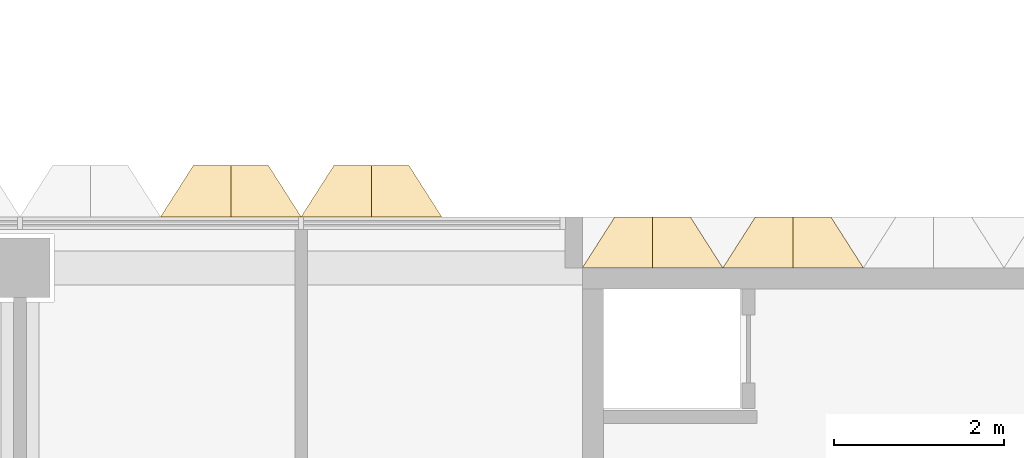
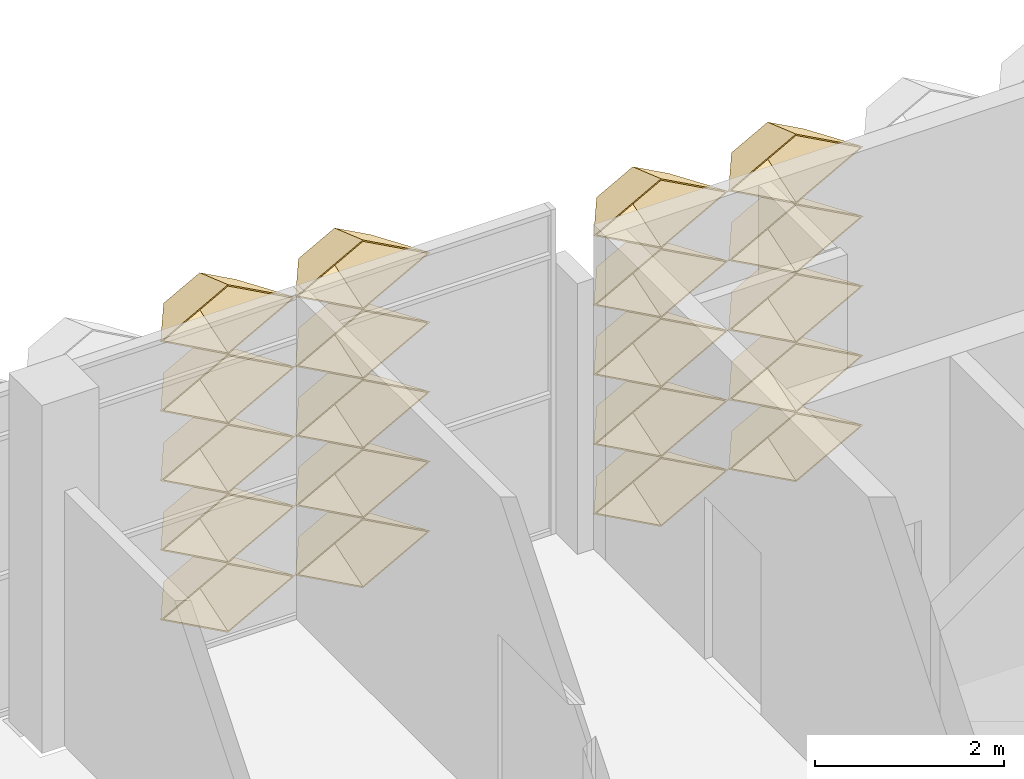
# One storey, part 73 of 109: 20 coverings.
"""IFC4 building model written with IfcOpenShell, lengths in metres."""

from ifc_helpers import new_model, entity, si_unit, direction, frame, origin, place, context, subcontext, project, spatial, material, layer, layer_set, type_object, element, save


model = new_model("IFC4")

# Units and contexts
model_context = context("Model", 3, precision=1e-05, world=origin(), true_north=direction((0.0, 1.0)))
body_context = subcontext(model_context, "Body", "Model", "MODEL_VIEW")
ifc_project = project(units=[si_unit("LENGTHUNIT", "METRE"), si_unit("AREAUNIT", "SQUARE_METRE"), si_unit("VOLUMEUNIT", "CUBIC_METRE"), si_unit("PLANEANGLEUNIT", "RADIAN"), si_unit("MASSUNIT", "GRAM", prefix="KILO")], contexts=[model_context])

# Site, building, storey
site_placement = place(None, origin())
site = spatial("IfcSite", under=ifc_project, at=site_placement, CompositionType="ELEMENT")
building_placement = place(site_placement, origin())
building = spatial("IfcBuilding", under=site, at=building_placement, Name="Lantern Court Research Institute", CompositionType="ELEMENT")
storey_placement = place(building_placement, frame((0.0, 0.0, 14.39990234375)))
storey = spatial("IfcBuildingStorey", under=building, at=storey_placement, Name="L03", CompositionType="ELEMENT", Elevation=14.39990234375)

# Coverings
ifc_material = material(Name="Anodised aluminium", Category="aluminium")
ifc_layer = layer(ifc_material, 0.01611328125)
ifc_layer_set = layer_set([ifc_layer], Name="Anodised aluminium")
covering_type = type_object("IfcCoveringType", Name="Fin cassette 1650 x 900 x 600 aluminium", PredefinedType="CLADDING", material=ifc_layer_set)
covering_1_placement = place(storey_placement, frame((20.625, 23.10009765625, 0.4501953125), z_axis=(0.0, 1.0, 0.0), x_axis=(-1.0, 0.0, 0.0)))
cartesian_point_1 = entity("IfcCartesianPoint", [0.824951171875, 0.0])
cartesian_point_2 = entity("IfcCartesianPoint", [0.79150390625, 0.0])
cartesian_point_3 = entity("IfcCartesianPoint", [0.44189453125, 0.0])
cartesian_point_4 = entity("IfcCartesianPoint", [0.43359375, 0.0])
element("IfcCovering", 1, at=covering_1_placement, inside=storey, type_object=covering_type, Name="Fin cassette V4N-L03 1.13", PredefinedType="CLADDING", context=body_context, shape_type="SweptSolid", body=[
    entity("IfcExtrudedAreaSolidTapered", entity("IfcArbitraryProfileDefWithVoids", "AREA", None, entity("IfcPolyline", [cartesian_point_1, entity("IfcCartesianPoint", [0.0, 0.449951171875]), entity("IfcCartesianPoint", [-0.824951171875, 0.0]), entity("IfcCartesianPoint", [0.0, -0.449951171875]), cartesian_point_1]), [entity("IfcPolyline", [cartesian_point_2, entity("IfcCartesianPoint", [0.0, 0.431884765625]), entity("IfcCartesianPoint", [-0.79150390625, 0.0]), entity("IfcCartesianPoint", [0.0, -0.431884765625]), cartesian_point_2])]), entity("IfcAxis2Placement3D", entity("IfcCartesianPoint", [0.0, 0.0, 0.0])), entity("IfcDirection", [0.0, 0.0, 1.0]), 0.60009765625, entity("IfcArbitraryProfileDefWithVoids", "AREA", None, entity("IfcPolyline", [cartesian_point_3, entity("IfcCartesianPoint", [0.0, 0.240966796875]), entity("IfcCartesianPoint", [-0.44189453125, 0.0]), entity("IfcCartesianPoint", [0.0, -0.240966796875]), cartesian_point_3]), [entity("IfcPolyline", [cartesian_point_4, entity("IfcCartesianPoint", [0.0, 0.236572265625]), entity("IfcCartesianPoint", [-0.43359375, 0.0]), entity("IfcCartesianPoint", [0.0, -0.236572265625]), cartesian_point_4])])),
])
covering_2_placement = place(storey_placement, frame((22.27490234375, 23.10009765625, 0.4501953125), z_axis=(0.0, 1.0, 0.0), x_axis=(-1.0, 0.0, 0.0)))
cartesian_point_5 = entity("IfcCartesianPoint", [0.824951171875, 0.0])
cartesian_point_6 = entity("IfcCartesianPoint", [0.79150390625, 0.0])
cartesian_point_7 = entity("IfcCartesianPoint", [0.44189453125, 0.0])
cartesian_point_8 = entity("IfcCartesianPoint", [0.43359375, 0.0])
element("IfcCovering", 2, at=covering_2_placement, inside=storey, type_object=covering_type, Name="Fin cassette V4N-L03 1.14", PredefinedType="CLADDING", context=body_context, shape_type="SweptSolid", body=[
    entity("IfcExtrudedAreaSolidTapered", entity("IfcArbitraryProfileDefWithVoids", "AREA", None, entity("IfcPolyline", [cartesian_point_5, entity("IfcCartesianPoint", [0.0, 0.449951171875]), entity("IfcCartesianPoint", [-0.824951171875, 0.0]), entity("IfcCartesianPoint", [0.0, -0.449951171875]), cartesian_point_5]), [entity("IfcPolyline", [cartesian_point_6, entity("IfcCartesianPoint", [0.0, 0.431884765625]), entity("IfcCartesianPoint", [-0.79150390625, 0.0]), entity("IfcCartesianPoint", [0.0, -0.431884765625]), cartesian_point_6])]), entity("IfcAxis2Placement3D", entity("IfcCartesianPoint", [0.0, 0.0, 0.0])), entity("IfcDirection", [0.0, 0.0, 1.0]), 0.60009765625, entity("IfcArbitraryProfileDefWithVoids", "AREA", None, entity("IfcPolyline", [cartesian_point_7, entity("IfcCartesianPoint", [0.0, 0.240966796875]), entity("IfcCartesianPoint", [-0.44189453125, 0.0]), entity("IfcCartesianPoint", [0.0, -0.240966796875]), cartesian_point_7]), [entity("IfcPolyline", [cartesian_point_8, entity("IfcCartesianPoint", [0.0, 0.236572265625]), entity("IfcCartesianPoint", [-0.43359375, 0.0]), entity("IfcCartesianPoint", [0.0, -0.236572265625]), cartesian_point_8])])),
])
covering_3_placement = place(storey_placement, frame((20.625, 23.10009765625, 1.35009765625), z_axis=(0.0, 1.0, 0.0), x_axis=(-1.0, 0.0, 0.0)))
cartesian_point_9 = entity("IfcCartesianPoint", [0.824951171875, 0.0])
cartesian_point_10 = entity("IfcCartesianPoint", [0.79150390625, 0.0])
cartesian_point_11 = entity("IfcCartesianPoint", [0.44189453125, 0.0])
cartesian_point_12 = entity("IfcCartesianPoint", [0.43359375, 0.0])
element("IfcCovering", 3, at=covering_3_placement, inside=storey, type_object=covering_type, Name="Fin cassette V4N-L03 2.13", PredefinedType="CLADDING", context=body_context, shape_type="SweptSolid", body=[
    entity("IfcExtrudedAreaSolidTapered", entity("IfcArbitraryProfileDefWithVoids", "AREA", None, entity("IfcPolyline", [cartesian_point_9, entity("IfcCartesianPoint", [0.0, 0.449951171875]), entity("IfcCartesianPoint", [-0.824951171875, 0.0]), entity("IfcCartesianPoint", [0.0, -0.449951171875]), cartesian_point_9]), [entity("IfcPolyline", [cartesian_point_10, entity("IfcCartesianPoint", [0.0, 0.431884765625]), entity("IfcCartesianPoint", [-0.79150390625, 0.0]), entity("IfcCartesianPoint", [0.0, -0.431884765625]), cartesian_point_10])]), entity("IfcAxis2Placement3D", entity("IfcCartesianPoint", [0.0, 0.0, 0.0])), entity("IfcDirection", [0.0, 0.0, 1.0]), 0.60009765625, entity("IfcArbitraryProfileDefWithVoids", "AREA", None, entity("IfcPolyline", [cartesian_point_11, entity("IfcCartesianPoint", [0.0, 0.240966796875]), entity("IfcCartesianPoint", [-0.44189453125, 0.0]), entity("IfcCartesianPoint", [0.0, -0.240966796875]), cartesian_point_11]), [entity("IfcPolyline", [cartesian_point_12, entity("IfcCartesianPoint", [0.0, 0.236572265625]), entity("IfcCartesianPoint", [-0.43359375, 0.0]), entity("IfcCartesianPoint", [0.0, -0.236572265625]), cartesian_point_12])])),
])
covering_4_placement = place(storey_placement, frame((22.27490234375, 23.10009765625, 1.35009765625), z_axis=(0.0, 1.0, 0.0), x_axis=(-1.0, 0.0, 0.0)))
cartesian_point_13 = entity("IfcCartesianPoint", [0.824951171875, 0.0])
cartesian_point_14 = entity("IfcCartesianPoint", [0.79150390625, 0.0])
cartesian_point_15 = entity("IfcCartesianPoint", [0.44189453125, 0.0])
cartesian_point_16 = entity("IfcCartesianPoint", [0.43359375, 0.0])
element("IfcCovering", 4, at=covering_4_placement, inside=storey, type_object=covering_type, Name="Fin cassette V4N-L03 2.14", PredefinedType="CLADDING", context=body_context, shape_type="SweptSolid", body=[
    entity("IfcExtrudedAreaSolidTapered", entity("IfcArbitraryProfileDefWithVoids", "AREA", None, entity("IfcPolyline", [cartesian_point_13, entity("IfcCartesianPoint", [0.0, 0.449951171875]), entity("IfcCartesianPoint", [-0.824951171875, 0.0]), entity("IfcCartesianPoint", [0.0, -0.449951171875]), cartesian_point_13]), [entity("IfcPolyline", [cartesian_point_14, entity("IfcCartesianPoint", [0.0, 0.431884765625]), entity("IfcCartesianPoint", [-0.79150390625, 0.0]), entity("IfcCartesianPoint", [0.0, -0.431884765625]), cartesian_point_14])]), entity("IfcAxis2Placement3D", entity("IfcCartesianPoint", [0.0, 0.0, 0.0])), entity("IfcDirection", [0.0, 0.0, 1.0]), 0.60009765625, entity("IfcArbitraryProfileDefWithVoids", "AREA", None, entity("IfcPolyline", [cartesian_point_15, entity("IfcCartesianPoint", [0.0, 0.240966796875]), entity("IfcCartesianPoint", [-0.44189453125, 0.0]), entity("IfcCartesianPoint", [0.0, -0.240966796875]), cartesian_point_15]), [entity("IfcPolyline", [cartesian_point_16, entity("IfcCartesianPoint", [0.0, 0.236572265625]), entity("IfcCartesianPoint", [-0.43359375, 0.0]), entity("IfcCartesianPoint", [0.0, -0.236572265625]), cartesian_point_16])])),
])
covering_5_placement = place(storey_placement, frame((20.625, 23.10009765625, 2.25), z_axis=(0.0, 1.0, 0.0), x_axis=(-1.0, 0.0, 0.0)))
cartesian_point_17 = entity("IfcCartesianPoint", [0.824951171875, 0.0])
cartesian_point_18 = entity("IfcCartesianPoint", [0.79150390625, 0.0])
cartesian_point_19 = entity("IfcCartesianPoint", [0.44189453125, 0.0])
cartesian_point_20 = entity("IfcCartesianPoint", [0.43359375, 0.0])
element("IfcCovering", 5, at=covering_5_placement, inside=storey, type_object=covering_type, Name="Fin cassette V4N-L03 3.13", PredefinedType="CLADDING", context=body_context, shape_type="SweptSolid", body=[
    entity("IfcExtrudedAreaSolidTapered", entity("IfcArbitraryProfileDefWithVoids", "AREA", None, entity("IfcPolyline", [cartesian_point_17, entity("IfcCartesianPoint", [0.0, 0.449951171875]), entity("IfcCartesianPoint", [-0.824951171875, 0.0]), entity("IfcCartesianPoint", [0.0, -0.449951171875]), cartesian_point_17]), [entity("IfcPolyline", [cartesian_point_18, entity("IfcCartesianPoint", [0.0, 0.431884765625]), entity("IfcCartesianPoint", [-0.79150390625, 0.0]), entity("IfcCartesianPoint", [0.0, -0.431884765625]), cartesian_point_18])]), entity("IfcAxis2Placement3D", entity("IfcCartesianPoint", [0.0, 0.0, 0.0])), entity("IfcDirection", [0.0, 0.0, 1.0]), 0.60009765625, entity("IfcArbitraryProfileDefWithVoids", "AREA", None, entity("IfcPolyline", [cartesian_point_19, entity("IfcCartesianPoint", [0.0, 0.240966796875]), entity("IfcCartesianPoint", [-0.44189453125, 0.0]), entity("IfcCartesianPoint", [0.0, -0.240966796875]), cartesian_point_19]), [entity("IfcPolyline", [cartesian_point_20, entity("IfcCartesianPoint", [0.0, 0.236572265625]), entity("IfcCartesianPoint", [-0.43359375, 0.0]), entity("IfcCartesianPoint", [0.0, -0.236572265625]), cartesian_point_20])])),
])
covering_6_placement = place(storey_placement, frame((22.27490234375, 23.10009765625, 2.25), z_axis=(0.0, 1.0, 0.0), x_axis=(-1.0, 0.0, 0.0)))
cartesian_point_21 = entity("IfcCartesianPoint", [0.824951171875, 0.0])
cartesian_point_22 = entity("IfcCartesianPoint", [0.79150390625, 0.0])
cartesian_point_23 = entity("IfcCartesianPoint", [0.44189453125, 0.0])
cartesian_point_24 = entity("IfcCartesianPoint", [0.43359375, 0.0])
element("IfcCovering", 6, at=covering_6_placement, inside=storey, type_object=covering_type, Name="Fin cassette V4N-L03 3.14", PredefinedType="CLADDING", context=body_context, shape_type="SweptSolid", body=[
    entity("IfcExtrudedAreaSolidTapered", entity("IfcArbitraryProfileDefWithVoids", "AREA", None, entity("IfcPolyline", [cartesian_point_21, entity("IfcCartesianPoint", [0.0, 0.449951171875]), entity("IfcCartesianPoint", [-0.824951171875, 0.0]), entity("IfcCartesianPoint", [0.0, -0.449951171875]), cartesian_point_21]), [entity("IfcPolyline", [cartesian_point_22, entity("IfcCartesianPoint", [0.0, 0.431884765625]), entity("IfcCartesianPoint", [-0.79150390625, 0.0]), entity("IfcCartesianPoint", [0.0, -0.431884765625]), cartesian_point_22])]), entity("IfcAxis2Placement3D", entity("IfcCartesianPoint", [0.0, 0.0, 0.0])), entity("IfcDirection", [0.0, 0.0, 1.0]), 0.60009765625, entity("IfcArbitraryProfileDefWithVoids", "AREA", None, entity("IfcPolyline", [cartesian_point_23, entity("IfcCartesianPoint", [0.0, 0.240966796875]), entity("IfcCartesianPoint", [-0.44189453125, 0.0]), entity("IfcCartesianPoint", [0.0, -0.240966796875]), cartesian_point_23]), [entity("IfcPolyline", [cartesian_point_24, entity("IfcCartesianPoint", [0.0, 0.236572265625]), entity("IfcCartesianPoint", [-0.43359375, 0.0]), entity("IfcCartesianPoint", [0.0, -0.236572265625]), cartesian_point_24])])),
])
covering_7_placement = place(storey_placement, frame((20.625, 23.10009765625, 3.150146484375), z_axis=(0.0, 1.0, 0.0), x_axis=(-1.0, 0.0, 0.0)))
cartesian_point_25 = entity("IfcCartesianPoint", [0.824951171875, 0.0])
cartesian_point_26 = entity("IfcCartesianPoint", [0.79150390625, 0.0])
cartesian_point_27 = entity("IfcCartesianPoint", [0.44189453125, 0.0])
cartesian_point_28 = entity("IfcCartesianPoint", [0.43359375, 0.0])
element("IfcCovering", 7, at=covering_7_placement, inside=storey, type_object=covering_type, Name="Fin cassette V4N-L03 4.13", PredefinedType="CLADDING", context=body_context, shape_type="SweptSolid", body=[
    entity("IfcExtrudedAreaSolidTapered", entity("IfcArbitraryProfileDefWithVoids", "AREA", None, entity("IfcPolyline", [cartesian_point_25, entity("IfcCartesianPoint", [0.0, 0.449951171875]), entity("IfcCartesianPoint", [-0.824951171875, 0.0]), entity("IfcCartesianPoint", [0.0, -0.449951171875]), cartesian_point_25]), [entity("IfcPolyline", [cartesian_point_26, entity("IfcCartesianPoint", [0.0, 0.431884765625]), entity("IfcCartesianPoint", [-0.79150390625, 0.0]), entity("IfcCartesianPoint", [0.0, -0.431884765625]), cartesian_point_26])]), entity("IfcAxis2Placement3D", entity("IfcCartesianPoint", [0.0, 0.0, 0.0])), entity("IfcDirection", [0.0, 0.0, 1.0]), 0.60009765625, entity("IfcArbitraryProfileDefWithVoids", "AREA", None, entity("IfcPolyline", [cartesian_point_27, entity("IfcCartesianPoint", [0.0, 0.240966796875]), entity("IfcCartesianPoint", [-0.44189453125, 0.0]), entity("IfcCartesianPoint", [0.0, -0.240966796875]), cartesian_point_27]), [entity("IfcPolyline", [cartesian_point_28, entity("IfcCartesianPoint", [0.0, 0.236572265625]), entity("IfcCartesianPoint", [-0.43359375, 0.0]), entity("IfcCartesianPoint", [0.0, -0.236572265625]), cartesian_point_28])])),
])
covering_8_placement = place(storey_placement, frame((22.27490234375, 23.10009765625, 3.150146484375), z_axis=(0.0, 1.0, 0.0), x_axis=(-1.0, 0.0, 0.0)))
cartesian_point_29 = entity("IfcCartesianPoint", [0.824951171875, 0.0])
cartesian_point_30 = entity("IfcCartesianPoint", [0.79150390625, 0.0])
cartesian_point_31 = entity("IfcCartesianPoint", [0.44189453125, 0.0])
cartesian_point_32 = entity("IfcCartesianPoint", [0.43359375, 0.0])
element("IfcCovering", 8, at=covering_8_placement, inside=storey, type_object=covering_type, Name="Fin cassette V4N-L03 4.14", PredefinedType="CLADDING", context=body_context, shape_type="SweptSolid", body=[
    entity("IfcExtrudedAreaSolidTapered", entity("IfcArbitraryProfileDefWithVoids", "AREA", None, entity("IfcPolyline", [cartesian_point_29, entity("IfcCartesianPoint", [0.0, 0.449951171875]), entity("IfcCartesianPoint", [-0.824951171875, 0.0]), entity("IfcCartesianPoint", [0.0, -0.449951171875]), cartesian_point_29]), [entity("IfcPolyline", [cartesian_point_30, entity("IfcCartesianPoint", [0.0, 0.431884765625]), entity("IfcCartesianPoint", [-0.79150390625, 0.0]), entity("IfcCartesianPoint", [0.0, -0.431884765625]), cartesian_point_30])]), entity("IfcAxis2Placement3D", entity("IfcCartesianPoint", [0.0, 0.0, 0.0])), entity("IfcDirection", [0.0, 0.0, 1.0]), 0.60009765625, entity("IfcArbitraryProfileDefWithVoids", "AREA", None, entity("IfcPolyline", [cartesian_point_31, entity("IfcCartesianPoint", [0.0, 0.240966796875]), entity("IfcCartesianPoint", [-0.44189453125, 0.0]), entity("IfcCartesianPoint", [0.0, -0.240966796875]), cartesian_point_31]), [entity("IfcPolyline", [cartesian_point_32, entity("IfcCartesianPoint", [0.0, 0.236572265625]), entity("IfcCartesianPoint", [-0.43359375, 0.0]), entity("IfcCartesianPoint", [0.0, -0.236572265625]), cartesian_point_32])])),
])
covering_9_placement = place(storey_placement, frame((20.625, 23.10009765625, 4.050048828125), z_axis=(0.0, 1.0, 0.0), x_axis=(-1.0, 0.0, 0.0)))
cartesian_point_33 = entity("IfcCartesianPoint", [0.824951171875, 0.0])
cartesian_point_34 = entity("IfcCartesianPoint", [0.79150390625, 0.0])
cartesian_point_35 = entity("IfcCartesianPoint", [0.44189453125, 0.0])
cartesian_point_36 = entity("IfcCartesianPoint", [0.43359375, 0.0])
element("IfcCovering", 9, at=covering_9_placement, inside=storey, type_object=covering_type, Name="Fin cassette V4N-L03 5.13", PredefinedType="CLADDING", context=body_context, shape_type="SweptSolid", body=[
    entity("IfcExtrudedAreaSolidTapered", entity("IfcArbitraryProfileDefWithVoids", "AREA", None, entity("IfcPolyline", [cartesian_point_33, entity("IfcCartesianPoint", [0.0, 0.449951171875]), entity("IfcCartesianPoint", [-0.824951171875, 0.0]), entity("IfcCartesianPoint", [0.0, -0.449951171875]), cartesian_point_33]), [entity("IfcPolyline", [cartesian_point_34, entity("IfcCartesianPoint", [0.0, 0.431884765625]), entity("IfcCartesianPoint", [-0.79150390625, 0.0]), entity("IfcCartesianPoint", [0.0, -0.431884765625]), cartesian_point_34])]), entity("IfcAxis2Placement3D", entity("IfcCartesianPoint", [0.0, 0.0, 0.0])), entity("IfcDirection", [0.0, 0.0, 1.0]), 0.60009765625, entity("IfcArbitraryProfileDefWithVoids", "AREA", None, entity("IfcPolyline", [cartesian_point_35, entity("IfcCartesianPoint", [0.0, 0.240966796875]), entity("IfcCartesianPoint", [-0.44189453125, 0.0]), entity("IfcCartesianPoint", [0.0, -0.240966796875]), cartesian_point_35]), [entity("IfcPolyline", [cartesian_point_36, entity("IfcCartesianPoint", [0.0, 0.236572265625]), entity("IfcCartesianPoint", [-0.43359375, 0.0]), entity("IfcCartesianPoint", [0.0, -0.236572265625]), cartesian_point_36])])),
])
covering_10_placement = place(storey_placement, frame((22.27490234375, 23.10009765625, 4.050048828125), z_axis=(0.0, 1.0, 0.0), x_axis=(-1.0, 0.0, 0.0)))
cartesian_point_37 = entity("IfcCartesianPoint", [0.824951171875, 0.0])
cartesian_point_38 = entity("IfcCartesianPoint", [0.79150390625, 0.0])
cartesian_point_39 = entity("IfcCartesianPoint", [0.44189453125, 0.0])
cartesian_point_40 = entity("IfcCartesianPoint", [0.43359375, 0.0])
element("IfcCovering", 10, at=covering_10_placement, inside=storey, type_object=covering_type, Name="Fin cassette V4N-L03 5.14", PredefinedType="CLADDING", context=body_context, shape_type="SweptSolid", body=[
    entity("IfcExtrudedAreaSolidTapered", entity("IfcArbitraryProfileDefWithVoids", "AREA", None, entity("IfcPolyline", [cartesian_point_37, entity("IfcCartesianPoint", [0.0, 0.449951171875]), entity("IfcCartesianPoint", [-0.824951171875, 0.0]), entity("IfcCartesianPoint", [0.0, -0.449951171875]), cartesian_point_37]), [entity("IfcPolyline", [cartesian_point_38, entity("IfcCartesianPoint", [0.0, 0.431884765625]), entity("IfcCartesianPoint", [-0.79150390625, 0.0]), entity("IfcCartesianPoint", [0.0, -0.431884765625]), cartesian_point_38])]), entity("IfcAxis2Placement3D", entity("IfcCartesianPoint", [0.0, 0.0, 0.0])), entity("IfcDirection", [0.0, 0.0, 1.0]), 0.60009765625, entity("IfcArbitraryProfileDefWithVoids", "AREA", None, entity("IfcPolyline", [cartesian_point_39, entity("IfcCartesianPoint", [0.0, 0.240966796875]), entity("IfcCartesianPoint", [-0.44189453125, 0.0]), entity("IfcCartesianPoint", [0.0, -0.240966796875]), cartesian_point_39]), [entity("IfcPolyline", [cartesian_point_40, entity("IfcCartesianPoint", [0.0, 0.236572265625]), entity("IfcCartesianPoint", [-0.43359375, 0.0]), entity("IfcCartesianPoint", [0.0, -0.236572265625]), cartesian_point_40])])),
])
covering_11_placement = place(storey_placement, frame((15.675048828125, 23.699951171875, 0.4501953125), z_axis=(0.0, 1.0, 0.0), x_axis=(-1.0, 0.0, 0.0)))
cartesian_point_41 = entity("IfcCartesianPoint", [0.824951171875, 0.0])
cartesian_point_42 = entity("IfcCartesianPoint", [0.79150390625, 0.0])
cartesian_point_43 = entity("IfcCartesianPoint", [0.44189453125, 0.0])
cartesian_point_44 = entity("IfcCartesianPoint", [0.43359375, 0.0])
element("IfcCovering", 11, at=covering_11_placement, inside=storey, type_object=covering_type, Name="Fin cassette V4N-L03 1.10", PredefinedType="CLADDING", context=body_context, shape_type="SweptSolid", body=[
    entity("IfcExtrudedAreaSolidTapered", entity("IfcArbitraryProfileDefWithVoids", "AREA", None, entity("IfcPolyline", [cartesian_point_41, entity("IfcCartesianPoint", [0.0, 0.449951171875]), entity("IfcCartesianPoint", [-0.824951171875, 0.0]), entity("IfcCartesianPoint", [0.0, -0.449951171875]), cartesian_point_41]), [entity("IfcPolyline", [cartesian_point_42, entity("IfcCartesianPoint", [0.0, 0.431884765625]), entity("IfcCartesianPoint", [-0.79150390625, 0.0]), entity("IfcCartesianPoint", [0.0, -0.431884765625]), cartesian_point_42])]), entity("IfcAxis2Placement3D", entity("IfcCartesianPoint", [0.0, 0.0, 0.0])), entity("IfcDirection", [0.0, 0.0, 1.0]), 0.60009765625, entity("IfcArbitraryProfileDefWithVoids", "AREA", None, entity("IfcPolyline", [cartesian_point_43, entity("IfcCartesianPoint", [0.0, 0.240966796875]), entity("IfcCartesianPoint", [-0.44189453125, 0.0]), entity("IfcCartesianPoint", [0.0, -0.240966796875]), cartesian_point_43]), [entity("IfcPolyline", [cartesian_point_44, entity("IfcCartesianPoint", [0.0, 0.236572265625]), entity("IfcCartesianPoint", [-0.43359375, 0.0]), entity("IfcCartesianPoint", [0.0, -0.236572265625]), cartesian_point_44])])),
])
covering_12_placement = place(storey_placement, frame((17.324951171875, 23.699951171875, 0.4501953125), z_axis=(0.0, 1.0, 0.0), x_axis=(-1.0, 0.0, 0.0)))
cartesian_point_45 = entity("IfcCartesianPoint", [0.824951171875, 0.0])
cartesian_point_46 = entity("IfcCartesianPoint", [0.79150390625, 0.0])
cartesian_point_47 = entity("IfcCartesianPoint", [0.44189453125, 0.0])
cartesian_point_48 = entity("IfcCartesianPoint", [0.43359375, 0.0])
element("IfcCovering", 12, at=covering_12_placement, inside=storey, type_object=covering_type, Name="Fin cassette V4N-L03 1.11", PredefinedType="CLADDING", context=body_context, shape_type="SweptSolid", body=[
    entity("IfcExtrudedAreaSolidTapered", entity("IfcArbitraryProfileDefWithVoids", "AREA", None, entity("IfcPolyline", [cartesian_point_45, entity("IfcCartesianPoint", [0.0, 0.449951171875]), entity("IfcCartesianPoint", [-0.824951171875, 0.0]), entity("IfcCartesianPoint", [0.0, -0.449951171875]), cartesian_point_45]), [entity("IfcPolyline", [cartesian_point_46, entity("IfcCartesianPoint", [0.0, 0.431884765625]), entity("IfcCartesianPoint", [-0.79150390625, 0.0]), entity("IfcCartesianPoint", [0.0, -0.431884765625]), cartesian_point_46])]), entity("IfcAxis2Placement3D", entity("IfcCartesianPoint", [0.0, 0.0, 0.0])), entity("IfcDirection", [0.0, 0.0, 1.0]), 0.60009765625, entity("IfcArbitraryProfileDefWithVoids", "AREA", None, entity("IfcPolyline", [cartesian_point_47, entity("IfcCartesianPoint", [0.0, 0.240966796875]), entity("IfcCartesianPoint", [-0.44189453125, 0.0]), entity("IfcCartesianPoint", [0.0, -0.240966796875]), cartesian_point_47]), [entity("IfcPolyline", [cartesian_point_48, entity("IfcCartesianPoint", [0.0, 0.236572265625]), entity("IfcCartesianPoint", [-0.43359375, 0.0]), entity("IfcCartesianPoint", [0.0, -0.236572265625]), cartesian_point_48])])),
])
covering_13_placement = place(storey_placement, frame((15.675048828125, 23.699951171875, 1.35009765625), z_axis=(0.0, 1.0, 0.0), x_axis=(-1.0, 0.0, 0.0)))
cartesian_point_49 = entity("IfcCartesianPoint", [0.824951171875, 0.0])
cartesian_point_50 = entity("IfcCartesianPoint", [0.79150390625, 0.0])
cartesian_point_51 = entity("IfcCartesianPoint", [0.44189453125, 0.0])
cartesian_point_52 = entity("IfcCartesianPoint", [0.43359375, 0.0])
element("IfcCovering", 13, at=covering_13_placement, inside=storey, type_object=covering_type, Name="Fin cassette V4N-L03 2.10", PredefinedType="CLADDING", context=body_context, shape_type="SweptSolid", body=[
    entity("IfcExtrudedAreaSolidTapered", entity("IfcArbitraryProfileDefWithVoids", "AREA", None, entity("IfcPolyline", [cartesian_point_49, entity("IfcCartesianPoint", [0.0, 0.449951171875]), entity("IfcCartesianPoint", [-0.824951171875, 0.0]), entity("IfcCartesianPoint", [0.0, -0.449951171875]), cartesian_point_49]), [entity("IfcPolyline", [cartesian_point_50, entity("IfcCartesianPoint", [0.0, 0.431884765625]), entity("IfcCartesianPoint", [-0.79150390625, 0.0]), entity("IfcCartesianPoint", [0.0, -0.431884765625]), cartesian_point_50])]), entity("IfcAxis2Placement3D", entity("IfcCartesianPoint", [0.0, 0.0, 0.0])), entity("IfcDirection", [0.0, 0.0, 1.0]), 0.60009765625, entity("IfcArbitraryProfileDefWithVoids", "AREA", None, entity("IfcPolyline", [cartesian_point_51, entity("IfcCartesianPoint", [0.0, 0.240966796875]), entity("IfcCartesianPoint", [-0.44189453125, 0.0]), entity("IfcCartesianPoint", [0.0, -0.240966796875]), cartesian_point_51]), [entity("IfcPolyline", [cartesian_point_52, entity("IfcCartesianPoint", [0.0, 0.236572265625]), entity("IfcCartesianPoint", [-0.43359375, 0.0]), entity("IfcCartesianPoint", [0.0, -0.236572265625]), cartesian_point_52])])),
])
covering_14_placement = place(storey_placement, frame((17.324951171875, 23.699951171875, 1.35009765625), z_axis=(0.0, 1.0, 0.0), x_axis=(-1.0, 0.0, 0.0)))
cartesian_point_53 = entity("IfcCartesianPoint", [0.824951171875, 0.0])
cartesian_point_54 = entity("IfcCartesianPoint", [0.79150390625, 0.0])
cartesian_point_55 = entity("IfcCartesianPoint", [0.44189453125, 0.0])
cartesian_point_56 = entity("IfcCartesianPoint", [0.43359375, 0.0])
element("IfcCovering", 14, at=covering_14_placement, inside=storey, type_object=covering_type, Name="Fin cassette V4N-L03 2.11", PredefinedType="CLADDING", context=body_context, shape_type="SweptSolid", body=[
    entity("IfcExtrudedAreaSolidTapered", entity("IfcArbitraryProfileDefWithVoids", "AREA", None, entity("IfcPolyline", [cartesian_point_53, entity("IfcCartesianPoint", [0.0, 0.449951171875]), entity("IfcCartesianPoint", [-0.824951171875, 0.0]), entity("IfcCartesianPoint", [0.0, -0.449951171875]), cartesian_point_53]), [entity("IfcPolyline", [cartesian_point_54, entity("IfcCartesianPoint", [0.0, 0.431884765625]), entity("IfcCartesianPoint", [-0.79150390625, 0.0]), entity("IfcCartesianPoint", [0.0, -0.431884765625]), cartesian_point_54])]), entity("IfcAxis2Placement3D", entity("IfcCartesianPoint", [0.0, 0.0, 0.0])), entity("IfcDirection", [0.0, 0.0, 1.0]), 0.60009765625, entity("IfcArbitraryProfileDefWithVoids", "AREA", None, entity("IfcPolyline", [cartesian_point_55, entity("IfcCartesianPoint", [0.0, 0.240966796875]), entity("IfcCartesianPoint", [-0.44189453125, 0.0]), entity("IfcCartesianPoint", [0.0, -0.240966796875]), cartesian_point_55]), [entity("IfcPolyline", [cartesian_point_56, entity("IfcCartesianPoint", [0.0, 0.236572265625]), entity("IfcCartesianPoint", [-0.43359375, 0.0]), entity("IfcCartesianPoint", [0.0, -0.236572265625]), cartesian_point_56])])),
])
covering_15_placement = place(storey_placement, frame((15.675048828125, 23.699951171875, 2.25), z_axis=(0.0, 1.0, 0.0), x_axis=(-1.0, 0.0, 0.0)))
cartesian_point_57 = entity("IfcCartesianPoint", [0.824951171875, 0.0])
cartesian_point_58 = entity("IfcCartesianPoint", [0.79150390625, 0.0])
cartesian_point_59 = entity("IfcCartesianPoint", [0.44189453125, 0.0])
cartesian_point_60 = entity("IfcCartesianPoint", [0.43359375, 0.0])
element("IfcCovering", 15, at=covering_15_placement, inside=storey, type_object=covering_type, Name="Fin cassette V4N-L03 3.10", PredefinedType="CLADDING", context=body_context, shape_type="SweptSolid", body=[
    entity("IfcExtrudedAreaSolidTapered", entity("IfcArbitraryProfileDefWithVoids", "AREA", None, entity("IfcPolyline", [cartesian_point_57, entity("IfcCartesianPoint", [0.0, 0.449951171875]), entity("IfcCartesianPoint", [-0.824951171875, 0.0]), entity("IfcCartesianPoint", [0.0, -0.449951171875]), cartesian_point_57]), [entity("IfcPolyline", [cartesian_point_58, entity("IfcCartesianPoint", [0.0, 0.431884765625]), entity("IfcCartesianPoint", [-0.79150390625, 0.0]), entity("IfcCartesianPoint", [0.0, -0.431884765625]), cartesian_point_58])]), entity("IfcAxis2Placement3D", entity("IfcCartesianPoint", [0.0, 0.0, 0.0])), entity("IfcDirection", [0.0, 0.0, 1.0]), 0.60009765625, entity("IfcArbitraryProfileDefWithVoids", "AREA", None, entity("IfcPolyline", [cartesian_point_59, entity("IfcCartesianPoint", [0.0, 0.240966796875]), entity("IfcCartesianPoint", [-0.44189453125, 0.0]), entity("IfcCartesianPoint", [0.0, -0.240966796875]), cartesian_point_59]), [entity("IfcPolyline", [cartesian_point_60, entity("IfcCartesianPoint", [0.0, 0.236572265625]), entity("IfcCartesianPoint", [-0.43359375, 0.0]), entity("IfcCartesianPoint", [0.0, -0.236572265625]), cartesian_point_60])])),
])
covering_16_placement = place(storey_placement, frame((17.324951171875, 23.699951171875, 2.25), z_axis=(0.0, 1.0, 0.0), x_axis=(-1.0, 0.0, 0.0)))
cartesian_point_61 = entity("IfcCartesianPoint", [0.824951171875, 0.0])
cartesian_point_62 = entity("IfcCartesianPoint", [0.79150390625, 0.0])
cartesian_point_63 = entity("IfcCartesianPoint", [0.44189453125, 0.0])
cartesian_point_64 = entity("IfcCartesianPoint", [0.43359375, 0.0])
element("IfcCovering", 16, at=covering_16_placement, inside=storey, type_object=covering_type, Name="Fin cassette V4N-L03 3.11", PredefinedType="CLADDING", context=body_context, shape_type="SweptSolid", body=[
    entity("IfcExtrudedAreaSolidTapered", entity("IfcArbitraryProfileDefWithVoids", "AREA", None, entity("IfcPolyline", [cartesian_point_61, entity("IfcCartesianPoint", [0.0, 0.449951171875]), entity("IfcCartesianPoint", [-0.824951171875, 0.0]), entity("IfcCartesianPoint", [0.0, -0.449951171875]), cartesian_point_61]), [entity("IfcPolyline", [cartesian_point_62, entity("IfcCartesianPoint", [0.0, 0.431884765625]), entity("IfcCartesianPoint", [-0.79150390625, 0.0]), entity("IfcCartesianPoint", [0.0, -0.431884765625]), cartesian_point_62])]), entity("IfcAxis2Placement3D", entity("IfcCartesianPoint", [0.0, 0.0, 0.0])), entity("IfcDirection", [0.0, 0.0, 1.0]), 0.60009765625, entity("IfcArbitraryProfileDefWithVoids", "AREA", None, entity("IfcPolyline", [cartesian_point_63, entity("IfcCartesianPoint", [0.0, 0.240966796875]), entity("IfcCartesianPoint", [-0.44189453125, 0.0]), entity("IfcCartesianPoint", [0.0, -0.240966796875]), cartesian_point_63]), [entity("IfcPolyline", [cartesian_point_64, entity("IfcCartesianPoint", [0.0, 0.236572265625]), entity("IfcCartesianPoint", [-0.43359375, 0.0]), entity("IfcCartesianPoint", [0.0, -0.236572265625]), cartesian_point_64])])),
])
covering_17_placement = place(storey_placement, frame((15.675048828125, 23.699951171875, 3.150146484375), z_axis=(0.0, 1.0, 0.0), x_axis=(-1.0, 0.0, 0.0)))
cartesian_point_65 = entity("IfcCartesianPoint", [0.824951171875, 0.0])
cartesian_point_66 = entity("IfcCartesianPoint", [0.79150390625, 0.0])
cartesian_point_67 = entity("IfcCartesianPoint", [0.44189453125, 0.0])
cartesian_point_68 = entity("IfcCartesianPoint", [0.43359375, 0.0])
element("IfcCovering", 17, at=covering_17_placement, inside=storey, type_object=covering_type, Name="Fin cassette V4N-L03 4.10", PredefinedType="CLADDING", context=body_context, shape_type="SweptSolid", body=[
    entity("IfcExtrudedAreaSolidTapered", entity("IfcArbitraryProfileDefWithVoids", "AREA", None, entity("IfcPolyline", [cartesian_point_65, entity("IfcCartesianPoint", [0.0, 0.449951171875]), entity("IfcCartesianPoint", [-0.824951171875, 0.0]), entity("IfcCartesianPoint", [0.0, -0.449951171875]), cartesian_point_65]), [entity("IfcPolyline", [cartesian_point_66, entity("IfcCartesianPoint", [0.0, 0.431884765625]), entity("IfcCartesianPoint", [-0.79150390625, 0.0]), entity("IfcCartesianPoint", [0.0, -0.431884765625]), cartesian_point_66])]), entity("IfcAxis2Placement3D", entity("IfcCartesianPoint", [0.0, 0.0, 0.0])), entity("IfcDirection", [0.0, 0.0, 1.0]), 0.60009765625, entity("IfcArbitraryProfileDefWithVoids", "AREA", None, entity("IfcPolyline", [cartesian_point_67, entity("IfcCartesianPoint", [0.0, 0.240966796875]), entity("IfcCartesianPoint", [-0.44189453125, 0.0]), entity("IfcCartesianPoint", [0.0, -0.240966796875]), cartesian_point_67]), [entity("IfcPolyline", [cartesian_point_68, entity("IfcCartesianPoint", [0.0, 0.236572265625]), entity("IfcCartesianPoint", [-0.43359375, 0.0]), entity("IfcCartesianPoint", [0.0, -0.236572265625]), cartesian_point_68])])),
])
covering_18_placement = place(storey_placement, frame((17.324951171875, 23.699951171875, 3.150146484375), z_axis=(0.0, 1.0, 0.0), x_axis=(-1.0, 0.0, 0.0)))
cartesian_point_69 = entity("IfcCartesianPoint", [0.824951171875, 0.0])
cartesian_point_70 = entity("IfcCartesianPoint", [0.79150390625, 0.0])
cartesian_point_71 = entity("IfcCartesianPoint", [0.44189453125, 0.0])
cartesian_point_72 = entity("IfcCartesianPoint", [0.43359375, 0.0])
element("IfcCovering", 18, at=covering_18_placement, inside=storey, type_object=covering_type, Name="Fin cassette V4N-L03 4.11", PredefinedType="CLADDING", context=body_context, shape_type="SweptSolid", body=[
    entity("IfcExtrudedAreaSolidTapered", entity("IfcArbitraryProfileDefWithVoids", "AREA", None, entity("IfcPolyline", [cartesian_point_69, entity("IfcCartesianPoint", [0.0, 0.449951171875]), entity("IfcCartesianPoint", [-0.824951171875, 0.0]), entity("IfcCartesianPoint", [0.0, -0.449951171875]), cartesian_point_69]), [entity("IfcPolyline", [cartesian_point_70, entity("IfcCartesianPoint", [0.0, 0.431884765625]), entity("IfcCartesianPoint", [-0.79150390625, 0.0]), entity("IfcCartesianPoint", [0.0, -0.431884765625]), cartesian_point_70])]), entity("IfcAxis2Placement3D", entity("IfcCartesianPoint", [0.0, 0.0, 0.0])), entity("IfcDirection", [0.0, 0.0, 1.0]), 0.60009765625, entity("IfcArbitraryProfileDefWithVoids", "AREA", None, entity("IfcPolyline", [cartesian_point_71, entity("IfcCartesianPoint", [0.0, 0.240966796875]), entity("IfcCartesianPoint", [-0.44189453125, 0.0]), entity("IfcCartesianPoint", [0.0, -0.240966796875]), cartesian_point_71]), [entity("IfcPolyline", [cartesian_point_72, entity("IfcCartesianPoint", [0.0, 0.236572265625]), entity("IfcCartesianPoint", [-0.43359375, 0.0]), entity("IfcCartesianPoint", [0.0, -0.236572265625]), cartesian_point_72])])),
])
covering_19_placement = place(storey_placement, frame((15.675048828125, 23.699951171875, 4.050048828125), z_axis=(0.0, 1.0, 0.0), x_axis=(-1.0, 0.0, 0.0)))
cartesian_point_73 = entity("IfcCartesianPoint", [0.824951171875, 0.0])
cartesian_point_74 = entity("IfcCartesianPoint", [0.79150390625, 0.0])
cartesian_point_75 = entity("IfcCartesianPoint", [0.44189453125, 0.0])
cartesian_point_76 = entity("IfcCartesianPoint", [0.43359375, 0.0])
element("IfcCovering", 19, at=covering_19_placement, inside=storey, type_object=covering_type, Name="Fin cassette V4N-L03 5.10", PredefinedType="CLADDING", context=body_context, shape_type="SweptSolid", body=[
    entity("IfcExtrudedAreaSolidTapered", entity("IfcArbitraryProfileDefWithVoids", "AREA", None, entity("IfcPolyline", [cartesian_point_73, entity("IfcCartesianPoint", [0.0, 0.449951171875]), entity("IfcCartesianPoint", [-0.824951171875, 0.0]), entity("IfcCartesianPoint", [0.0, -0.449951171875]), cartesian_point_73]), [entity("IfcPolyline", [cartesian_point_74, entity("IfcCartesianPoint", [0.0, 0.431884765625]), entity("IfcCartesianPoint", [-0.79150390625, 0.0]), entity("IfcCartesianPoint", [0.0, -0.431884765625]), cartesian_point_74])]), entity("IfcAxis2Placement3D", entity("IfcCartesianPoint", [0.0, 0.0, 0.0])), entity("IfcDirection", [0.0, 0.0, 1.0]), 0.60009765625, entity("IfcArbitraryProfileDefWithVoids", "AREA", None, entity("IfcPolyline", [cartesian_point_75, entity("IfcCartesianPoint", [0.0, 0.240966796875]), entity("IfcCartesianPoint", [-0.44189453125, 0.0]), entity("IfcCartesianPoint", [0.0, -0.240966796875]), cartesian_point_75]), [entity("IfcPolyline", [cartesian_point_76, entity("IfcCartesianPoint", [0.0, 0.236572265625]), entity("IfcCartesianPoint", [-0.43359375, 0.0]), entity("IfcCartesianPoint", [0.0, -0.236572265625]), cartesian_point_76])])),
])
covering_20_placement = place(storey_placement, frame((17.324951171875, 23.699951171875, 4.050048828125), z_axis=(0.0, 1.0, 0.0), x_axis=(-1.0, 0.0, 0.0)))
cartesian_point_77 = entity("IfcCartesianPoint", [0.824951171875, 0.0])
cartesian_point_78 = entity("IfcCartesianPoint", [0.79150390625, 0.0])
cartesian_point_79 = entity("IfcCartesianPoint", [0.44189453125, 0.0])
cartesian_point_80 = entity("IfcCartesianPoint", [0.43359375, 0.0])
element("IfcCovering", 20, at=covering_20_placement, inside=storey, type_object=covering_type, Name="Fin cassette V4N-L03 5.11", PredefinedType="CLADDING", context=body_context, shape_type="SweptSolid", body=[
    entity("IfcExtrudedAreaSolidTapered", entity("IfcArbitraryProfileDefWithVoids", "AREA", None, entity("IfcPolyline", [cartesian_point_77, entity("IfcCartesianPoint", [0.0, 0.449951171875]), entity("IfcCartesianPoint", [-0.824951171875, 0.0]), entity("IfcCartesianPoint", [0.0, -0.449951171875]), cartesian_point_77]), [entity("IfcPolyline", [cartesian_point_78, entity("IfcCartesianPoint", [0.0, 0.431884765625]), entity("IfcCartesianPoint", [-0.79150390625, 0.0]), entity("IfcCartesianPoint", [0.0, -0.431884765625]), cartesian_point_78])]), entity("IfcAxis2Placement3D", entity("IfcCartesianPoint", [0.0, 0.0, 0.0])), entity("IfcDirection", [0.0, 0.0, 1.0]), 0.60009765625, entity("IfcArbitraryProfileDefWithVoids", "AREA", None, entity("IfcPolyline", [cartesian_point_79, entity("IfcCartesianPoint", [0.0, 0.240966796875]), entity("IfcCartesianPoint", [-0.44189453125, 0.0]), entity("IfcCartesianPoint", [0.0, -0.240966796875]), cartesian_point_79]), [entity("IfcPolyline", [cartesian_point_80, entity("IfcCartesianPoint", [0.0, 0.236572265625]), entity("IfcCartesianPoint", [-0.43359375, 0.0]), entity("IfcCartesianPoint", [0.0, -0.236572265625]), cartesian_point_80])])),
])

save(model, "model.ifc")
